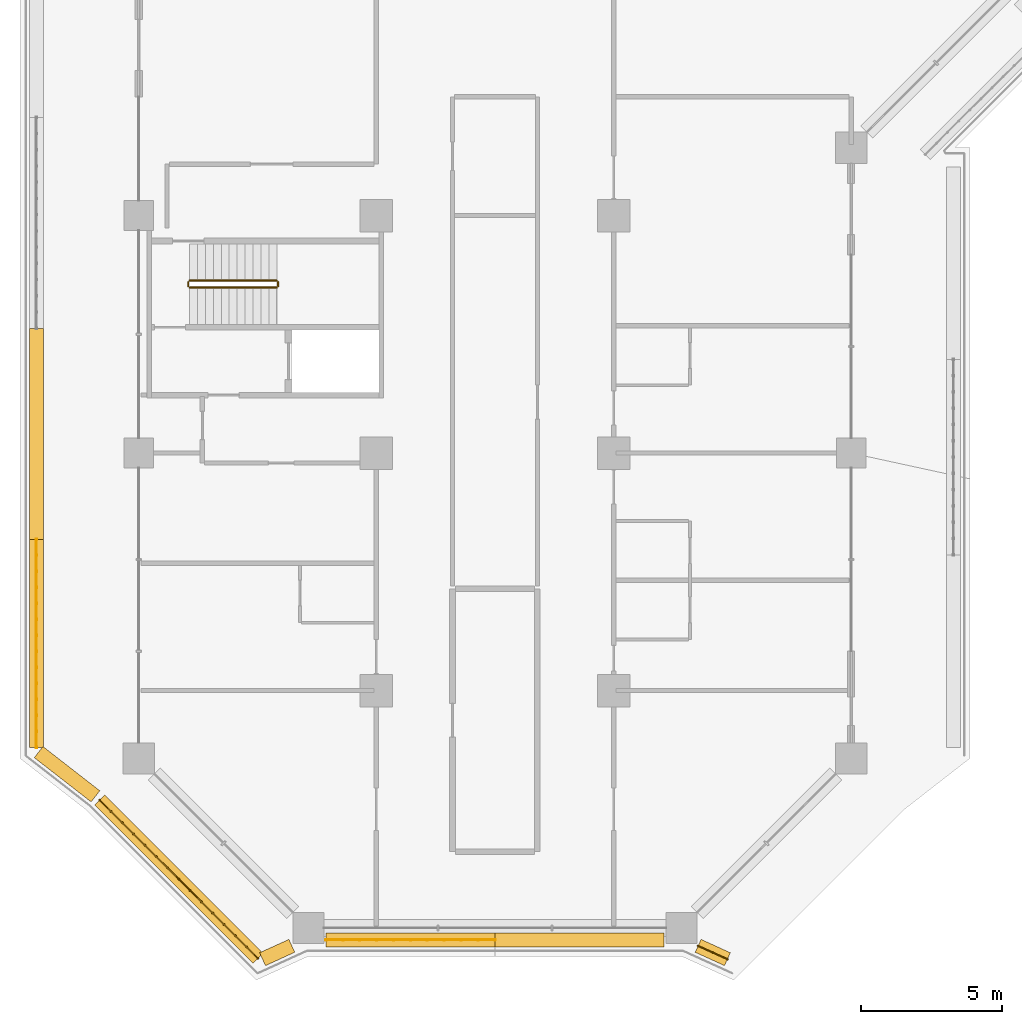
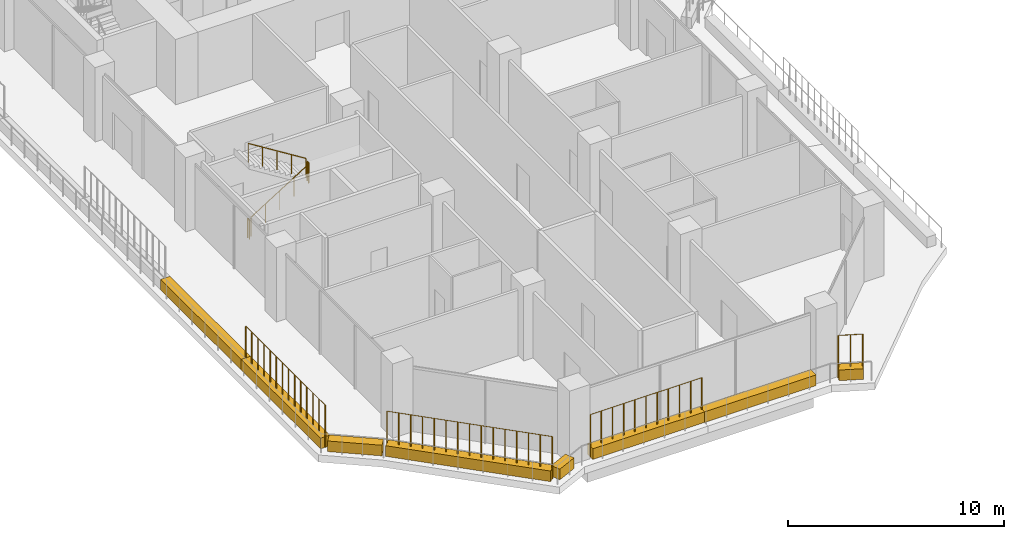
# One storey, part 18 of 23: 8 coverings, 8 railings.
"""IFC4 building model written with IfcOpenShell, lengths in metres."""

from ifc_helpers import new_model, si_unit, direction, frame, origin, origin_2d, place, context, subcontext, project, spatial, rectangle, circle, extrude, material, material_profile, profile_set, type_object, element, save


model = new_model("IFC4")

# Units and contexts
model_context = context("Model", 3, precision=1e-05, world=origin(), true_north=direction((0.0, 1.0)))
body_context = subcontext(model_context, "Body", "Model", "MODEL_VIEW")
ifc_project = project(units=[si_unit("LENGTHUNIT", "METRE"), si_unit("AREAUNIT", "SQUARE_METRE"), si_unit("VOLUMEUNIT", "CUBIC_METRE"), si_unit("PLANEANGLEUNIT", "RADIAN"), si_unit("MASSUNIT", "GRAM", prefix="KILO")], contexts=[model_context])

# Site, building, storey
site_placement = place(None, origin())
site = spatial("IfcSite", under=ifc_project, at=site_placement, CompositionType="ELEMENT")
building_placement = place(site_placement, origin())
building = spatial("IfcBuilding", under=site, at=building_placement, Name="Kawkab Arch Medical Tower", CompositionType="ELEMENT")
storey_placement = place(building_placement, frame((0.0, 0.0, 149.199951171875)))
storey = spatial("IfcBuildingStorey", under=building, at=storey_placement, Name="L34", CompositionType="ELEMENT", Elevation=149.199951171875)

# Coverings
ifc_material_1 = material(Name="Planting soil in a precast trough", Category="concrete")
ifc_material_profile = material_profile(ifc_material_1, rectangle(XDim=0.5, YDim=0.60009765625, at=origin_2d()), Name="Trough 500x600")
ifc_profile_set = profile_set([ifc_material_profile], Name="Planting soil in a precast trough")
covering_type = type_object("IfcCoveringType", Name="Planter trough 500 x 600", PredefinedType="USERDEFINED", material=ifc_profile_set)
covering_1_placement = place(storey_placement, frame((20.821044921875, -59.902099609375, 0.300048828125), z_axis=(-0.909821891123, 0.414998947508, 0.0), x_axis=(-0.414998947508, -0.909821891123, 0.0)))
element("IfcCovering", 1, at=covering_1_placement, inside=storey, type_object=covering_type, Name="Planter L34.LOG-01-01.1", ObjectType="PLANTER", PredefinedType="USERDEFINED", context=body_context, shape_type="SweptSolid", body=[
    extrude(rectangle(XDim=0.5, YDim=0.60009765625, at=origin_2d()), origin(), (0.0, 0.0, 1.0), 1.1376953125),
])
covering_2_placement = place(storey_placement, frame((18.570068359375, -59.219970703125, 0.300048828125), z_axis=(-1.0, 0.0, 0.0), x_axis=(0.0, -1.0, 0.0)))
element("IfcCovering", 2, at=covering_2_placement, inside=storey, type_object=covering_type, Name="Planter L34.LOG-01-01.2", ObjectType="PLANTER", PredefinedType="USERDEFINED", context=body_context, shape_type="SweptSolid", body=[
    extrude(rectangle(XDim=0.5, YDim=0.60009765625, at=origin_2d()), origin(), (0.0, 0.0, 1.0), 5.969970703125),
])
covering_3_placement = place(storey_placement, frame((12.60009765625, -59.219970703125, 0.300048828125), z_axis=(-1.0, 0.0, 0.0), x_axis=(0.0, -1.0, 0.0)))
element("IfcCovering", 3, at=covering_3_placement, inside=storey, type_object=covering_type, Name="Planter L34.LOG-01-01.3", ObjectType="PLANTER", PredefinedType="USERDEFINED", context=body_context, shape_type="SweptSolid", body=[
    extrude(rectangle(XDim=0.5, YDim=0.60009765625, at=origin_2d()), origin(), (0.0, 0.0, 1.0), 5.97021484375),
])
covering_4_placement = place(storey_placement, frame((5.4140625, -59.429931640625, 0.300048828125), z_axis=(-0.909821891123, -0.414998947508, 0.0), x_axis=(0.414998947508, -0.909821891123, 0.0)))
element("IfcCovering", 4, at=covering_4_placement, inside=storey, type_object=covering_type, Name="Planter L34.LOG-01-01.4", ObjectType="PLANTER", PredefinedType="USERDEFINED", context=body_context, shape_type="SweptSolid", body=[
    extrude(rectangle(XDim=0.5, YDim=0.60009765625, at=origin_2d()), origin(), (0.0, 0.0, 1.0), 1.1376953125),
])
covering_5_placement = place(storey_placement, frame((4.217041015625, -59.873046875, 0.300048828125), z_axis=(-0.707106781187, 0.707106781187, 0.0), x_axis=(-0.707106781187, -0.707106781187, 0.0)))
element("IfcCovering", 5, at=covering_5_placement, inside=storey, type_object=covering_type, Name="Planter L34.LOG-01-01.5", ObjectType="PLANTER", PredefinedType="USERDEFINED", context=body_context, shape_type="SweptSolid", body=[
    extrude(rectangle(XDim=0.5, YDim=0.60009765625, at=origin_2d()), origin(), (0.0, 0.0, 1.0), 7.919677734375),
])
covering_6_placement = place(storey_placement, frame((-1.531982421875, -54.14111328125, 0.300048828125), z_axis=(-0.789228258436, 0.614099956103, 0.0), x_axis=(-0.614099956103, -0.789228258436, 0.0)))
element("IfcCovering", 6, at=covering_6_placement, inside=storey, type_object=covering_type, Name="Planter L34.LOG-01-01.6", ObjectType="PLANTER", PredefinedType="USERDEFINED", context=body_context, shape_type="SweptSolid", body=[
    extrude(rectangle(XDim=0.5, YDim=0.60009765625, at=origin_2d()), origin(), (0.0, 0.0, 1.0), 2.545654296875),
])
covering_7_placement = place(storey_placement, frame((-3.6201171875, -52.416015625, 0.300048828125), z_axis=(0.0, 1.0, 0.0), x_axis=(-1.0, 0.0, 0.0)))
element("IfcCovering", 7, at=covering_7_placement, inside=storey, type_object=covering_type, Name="Planter L34.LOG-01-01.7", ObjectType="PLANTER", PredefinedType="USERDEFINED", context=body_context, shape_type="SweptSolid", body=[
    extrude(rectangle(XDim=0.5, YDim=0.60009765625, at=origin_2d()), origin(), (0.0, 0.0, 1.0), 7.361083984375),
])
covering_8_placement = place(storey_placement, frame((-3.6201171875, -45.054931640625, 0.300048828125), z_axis=(0.0, 1.0, 0.0), x_axis=(-1.0, 0.0, 0.0)))
element("IfcCovering", 8, at=covering_8_placement, inside=storey, type_object=covering_type, Name="Planter L34.LOG-01-01.8", ObjectType="PLANTER", PredefinedType="USERDEFINED", context=body_context, shape_type="SweptSolid", body=[
    extrude(rectangle(XDim=0.5, YDim=0.60009765625, at=origin_2d()), origin(), (0.0, 0.0, 1.0), 7.4619140625),
])

# Railings
ifc_material_2 = material(Name="Bronze anodised aluminium trellis for climbing plants", Category="aluminium")
railing_type_1 = type_object("IfcRailingType", Name="Planting trellis 2400", PredefinedType="USERDEFINED", material=ifc_material_2)
railing_1_placement = place(storey_placement, frame((20.821044921875, -59.902099609375, 0.0)))
element("IfcRailing", 9, at=railing_1_placement, inside=storey, type_object=railing_type_1, Name="Planting trellis L34.LOG-01-01.1", ObjectType="TRELLIS", PredefinedType="USERDEFINED", context=body_context, shape_type="SweptSolid", body=[
    extrude(circle(Radius=0.01513671875, at=origin_2d()), frame((0.0, 0.0, 2.384765625), z_axis=(-0.909821891123, 0.414998947508, 0.0), x_axis=(-0.414998947508, -0.909821891123, 0.0)), (0.0, 0.0, 1.0), 1.1376953125),
    extrude(circle(Radius=0.030029296875, at=origin_2d()), origin(), (0.0, 0.0, 1.0), 2.369873046875),
    extrude(circle(Radius=0.030029296875, at=origin_2d()), frame((-0.517578125, 0.236083984375, 0.0)), (0.0, 0.0, 1.0), 2.369873046875),
    extrude(circle(Radius=0.030029296875, at=origin_2d()), frame((-1.03515625, 0.47216796875, 0.0)), (0.0, 0.0, 1.0), 2.369873046875),
])
railing_2_placement = place(storey_placement, frame((12.60009765625, -59.219970703125, 0.0)))
element("IfcRailing", 10, at=railing_2_placement, inside=storey, type_object=railing_type_1, Name="Planting trellis L34.LOG-01-01.3", ObjectType="TRELLIS", PredefinedType="USERDEFINED", context=body_context, shape_type="SweptSolid", body=[
    extrude(circle(Radius=0.01513671875, at=origin_2d()), frame((0.0, 0.0, 2.384765625), z_axis=(-1.0, 0.0, 0.0), x_axis=(0.0, -1.0, 0.0)), (0.0, 0.0, 1.0), 5.97021484375),
    extrude(circle(Radius=0.030029296875, at=origin_2d()), origin(), (0.0, 0.0, 1.0), 2.369873046875),
    extrude(circle(Radius=0.030029296875, at=origin_2d()), frame((-0.596923828125, 0.0, 0.0)), (0.0, 0.0, 1.0), 2.369873046875),
    extrude(circle(Radius=0.030029296875, at=origin_2d()), frame((-1.194091796875, 0.0, 0.0)), (0.0, 0.0, 1.0), 2.369873046875),
    extrude(circle(Radius=0.030029296875, at=origin_2d()), frame((-1.791015625, 0.0, 0.0)), (0.0, 0.0, 1.0), 2.369873046875),
    extrude(circle(Radius=0.030029296875, at=origin_2d()), frame((-2.38818359375, 0.0, 0.0)), (0.0, 0.0, 1.0), 2.369873046875),
    extrude(circle(Radius=0.030029296875, at=origin_2d()), frame((-2.985107421875, 0.0, 0.0)), (0.0, 0.0, 1.0), 2.369873046875),
    extrude(circle(Radius=0.030029296875, at=origin_2d()), frame((-3.58203125, 0.0, 0.0)), (0.0, 0.0, 1.0), 2.369873046875),
    extrude(circle(Radius=0.030029296875, at=origin_2d()), frame((-4.17919921875, 0.0, 0.0)), (0.0, 0.0, 1.0), 2.369873046875),
    extrude(circle(Radius=0.030029296875, at=origin_2d()), frame((-4.776123046875, 0.0, 0.0)), (0.0, 0.0, 1.0), 2.369873046875),
    extrude(circle(Radius=0.030029296875, at=origin_2d()), frame((-5.373291015625, 0.0, 0.0)), (0.0, 0.0, 1.0), 2.369873046875),
    extrude(circle(Radius=0.030029296875, at=origin_2d()), frame((-5.97021484375, 0.0, 0.0)), (0.0, 0.0, 1.0), 2.369873046875),
])
railing_3_placement = place(storey_placement, frame((4.217041015625, -59.873046875, 0.0)))
element("IfcRailing", 11, at=railing_3_placement, inside=storey, type_object=railing_type_1, Name="Planting trellis L34.LOG-01-01.5", ObjectType="TRELLIS", PredefinedType="USERDEFINED", context=body_context, shape_type="SweptSolid", body=[
    extrude(circle(Radius=0.01513671875, at=origin_2d()), frame((0.0, 0.0, 2.384765625), z_axis=(-0.707106781187, 0.707106781187, 0.0), x_axis=(-0.707106781187, -0.707106781187, 0.0)), (0.0, 0.0, 1.0), 7.919677734375),
    extrude(circle(Radius=0.030029296875, at=origin_2d()), origin(), (0.0, 0.0, 1.0), 2.369873046875),
    extrude(circle(Radius=0.030029296875, at=origin_2d()), frame((-0.39990234375, 0.39990234375, 0.0)), (0.0, 0.0, 1.0), 2.369873046875),
    extrude(circle(Radius=0.030029296875, at=origin_2d()), frame((-0.800048828125, 0.800048828125, 0.0)), (0.0, 0.0, 1.0), 2.369873046875),
    extrude(circle(Radius=0.030029296875, at=origin_2d()), frame((-1.199951171875, 1.199951171875, 0.0)), (0.0, 0.0, 1.0), 2.369873046875),
    extrude(circle(Radius=0.030029296875, at=origin_2d()), frame((-1.60009765625, 1.60009765625, 0.0)), (0.0, 0.0, 1.0), 2.369873046875),
    extrude(circle(Radius=0.030029296875, at=origin_2d()), frame((-2.0, 2.0, 0.0)), (0.0, 0.0, 1.0), 2.369873046875),
    extrude(circle(Radius=0.030029296875, at=origin_2d()), frame((-2.400146484375, 2.400146484375, 0.0)), (0.0, 0.0, 1.0), 2.369873046875),
    extrude(circle(Radius=0.030029296875, at=origin_2d()), frame((-2.800048828125, 2.800048828125, 0.0)), (0.0, 0.0, 1.0), 2.369873046875),
    extrude(circle(Radius=0.030029296875, at=origin_2d()), frame((-3.199951171875, 3.199951171875, 0.0)), (0.0, 0.0, 1.0), 2.369873046875),
    extrude(circle(Radius=0.030029296875, at=origin_2d()), frame((-3.60009765625, 3.60009765625, 0.0)), (0.0, 0.0, 1.0), 2.369873046875),
    extrude(circle(Radius=0.030029296875, at=origin_2d()), frame((-4.0, 4.0, 0.0)), (0.0, 0.0, 1.0), 2.369873046875),
    extrude(circle(Radius=0.030029296875, at=origin_2d()), frame((-4.400146484375, 4.400146484375, 0.0)), (0.0, 0.0, 1.0), 2.369873046875),
    extrude(circle(Radius=0.030029296875, at=origin_2d()), frame((-4.800048828125, 4.800048828125, 0.0)), (0.0, 0.0, 1.0), 2.369873046875),
    extrude(circle(Radius=0.030029296875, at=origin_2d()), frame((-5.2001953125, 5.2001953125, 0.0)), (0.0, 0.0, 1.0), 2.369873046875),
    extrude(circle(Radius=0.030029296875, at=origin_2d()), frame((-5.60009765625, 5.60009765625, 0.0)), (0.0, 0.0, 1.0), 2.369873046875),
])
railing_4_placement = place(storey_placement, frame((-3.6201171875, -52.416015625, 0.0)))
element("IfcRailing", 12, at=railing_4_placement, inside=storey, type_object=railing_type_1, Name="Planting trellis L34.LOG-01-01.7", ObjectType="TRELLIS", PredefinedType="USERDEFINED", context=body_context, shape_type="SweptSolid", body=[
    extrude(circle(Radius=0.01513671875, at=origin_2d()), frame((0.0, 0.0, 2.384765625), z_axis=(0.0, 1.0, 0.0), x_axis=(-1.0, 0.0, 0.0)), (0.0, 0.0, 1.0), 7.361083984375),
    extrude(circle(Radius=0.030029296875, at=origin_2d()), origin(), (0.0, 0.0, 1.0), 2.369873046875),
    extrude(circle(Radius=0.030029296875, at=origin_2d()), frame((0.0, 0.566162109375, 0.0)), (0.0, 0.0, 1.0), 2.369873046875),
    extrude(circle(Radius=0.030029296875, at=origin_2d()), frame((0.0, 1.132568359375, 0.0)), (0.0, 0.0, 1.0), 2.369873046875),
    extrude(circle(Radius=0.030029296875, at=origin_2d()), frame((0.0, 1.69873046875, 0.0)), (0.0, 0.0, 1.0), 2.369873046875),
    extrude(circle(Radius=0.030029296875, at=origin_2d()), frame((0.0, 2.264892578125, 0.0)), (0.0, 0.0, 1.0), 2.369873046875),
    extrude(circle(Radius=0.030029296875, at=origin_2d()), frame((0.0, 2.831298828125, 0.0)), (0.0, 0.0, 1.0), 2.369873046875),
    extrude(circle(Radius=0.030029296875, at=origin_2d()), frame((0.0, 3.3974609375, 0.0)), (0.0, 0.0, 1.0), 2.369873046875),
    extrude(circle(Radius=0.030029296875, at=origin_2d()), frame((0.0, 3.963623046875, 0.0)), (0.0, 0.0, 1.0), 2.369873046875),
    extrude(circle(Radius=0.030029296875, at=origin_2d()), frame((0.0, 4.52978515625, 0.0)), (0.0, 0.0, 1.0), 2.369873046875),
    extrude(circle(Radius=0.030029296875, at=origin_2d()), frame((0.0, 5.09619140625, 0.0)), (0.0, 0.0, 1.0), 2.369873046875),
    extrude(circle(Radius=0.030029296875, at=origin_2d()), frame((0.0, 5.662353515625, 0.0)), (0.0, 0.0, 1.0), 2.369873046875),
    extrude(circle(Radius=0.030029296875, at=origin_2d()), frame((0.0, 6.228515625, 0.0)), (0.0, 0.0, 1.0), 2.369873046875),
    extrude(circle(Radius=0.030029296875, at=origin_2d()), frame((0.0, 6.794921875, 0.0)), (0.0, 0.0, 1.0), 2.369873046875),
    extrude(circle(Radius=0.030029296875, at=origin_2d()), frame((0.0, 7.361083984375, 0.0)), (0.0, 0.0, 1.0), 2.369873046875),
])
ifc_material_3 = material(Name="Stainless steel", Category="steel")
railing_type_2 = type_object("IfcRailingType", Name="Stair guard 1100", PredefinedType="GUARDRAIL", material=ifc_material_3)
railing_5_placement = place(storey_placement, frame((1.800048828125, -36.14990234375, 0.175048828125)))
element("IfcRailing", 13, at=railing_5_placement, inside=storey, type_object=railing_type_2, Name="L34 ST6 stair guard 1", PredefinedType="GUARDRAIL", context=body_context, shape_type="SweptSolid", body=[
    extrude(circle(Radius=0.02392578125, at=origin_2d()), frame((0.0, 0.0, 1.076171875), z_axis=(0.847979421464, 0.0, 0.530029150871), x_axis=(0.0, 1.0, 0.0)), (0.0, 0.0, 1.0), 3.632080078125),
    extrude(circle(Radius=0.02099609375, at=origin_2d()), origin(), (0.0, 0.0, 1.0), 1.052001953125),
    extrude(circle(Radius=0.02099609375, at=origin_2d()), frame((0.77001953125, 0.0, 0.481201171875)), (0.0, 0.0, 1.0), 1.052001953125),
    extrude(circle(Radius=0.02099609375, at=origin_2d()), frame((1.5400390625, 0.0, 0.96240234375)), (0.0, 0.0, 1.0), 1.052001953125),
    extrude(circle(Radius=0.02099609375, at=origin_2d()), frame((2.309814453125, 0.0, 1.44384765625)), (0.0, 0.0, 1.0), 1.052001953125),
    extrude(circle(Radius=0.02099609375, at=origin_2d()), frame((3.079833984375, 0.0, 1.925048828125)), (0.0, 0.0, 1.0), 1.052001953125),
])
railing_6_placement = place(storey_placement, frame((4.929931640625, -36.10009765625, 2.10009765625)))
element("IfcRailing", 14, at=railing_6_placement, inside=storey, type_object=railing_type_2, Name="L34 ST6 stair guard 2", PredefinedType="GUARDRAIL", context=body_context, shape_type="SweptSolid", body=[
    extrude(circle(Radius=0.02392578125, at=origin_2d()), frame((0.0, 0.0, 1.076171875), z_axis=(0.0, 1.0, 0.0), x_axis=(-1.0, 0.0, 0.0)), (0.0, 0.0, 1.0), 0.150146484375),
    extrude(circle(Radius=0.02099609375, at=origin_2d()), origin(), (0.0, 0.0, 1.0), 1.052001953125),
    extrude(circle(Radius=0.02099609375, at=origin_2d()), frame((0.0, 0.150146484375, 0.0)), (0.0, 0.0, 1.0), 1.052001953125),
])
railing_7_placement = place(storey_placement, frame((4.8798828125, -35.89990234375, 2.275146484375)))
element("IfcRailing", 15, at=railing_7_placement, inside=storey, type_object=railing_type_2, Name="L34 ST6 stair guard 3", PredefinedType="GUARDRAIL", context=body_context, shape_type="SweptSolid", body=[
    extrude(circle(Radius=0.02392578125, at=origin_2d()), frame((0.0, 0.0, 1.076171875), z_axis=(-0.848009633417, 0.0, 0.529980812513), x_axis=(0.0, -1.0, 0.0)), (0.0, 0.0, 1.0), 3.6318359375),
    extrude(circle(Radius=0.02099609375, at=origin_2d()), origin(), (0.0, 0.0, 1.0), 1.052001953125),
    extrude(circle(Radius=0.02099609375, at=origin_2d()), frame((-0.77001953125, 0.0, 0.481201171875)), (0.0, 0.0, 1.0), 1.052001953125),
    extrude(circle(Radius=0.02099609375, at=origin_2d()), frame((-1.5400390625, 0.0, 0.96240234375)), (0.0, 0.0, 1.0), 1.052001953125),
    extrude(circle(Radius=0.02099609375, at=origin_2d()), frame((-2.309814453125, 0.0, 1.443603515625)), (0.0, 0.0, 1.0), 1.052001953125),
    extrude(circle(Radius=0.02099609375, at=origin_2d()), frame((-3.079833984375, 0.0, 1.9248046875)), (0.0, 0.0, 1.0), 1.052001953125),
])
railing_8_placement = place(storey_placement, frame((1.75, -36.10009765625, 0.0)))
element("IfcRailing", 16, at=railing_8_placement, inside=storey, type_object=railing_type_2, Name="L34 ST6 stair guard 4", PredefinedType="GUARDRAIL", context=body_context, shape_type="SweptSolid", body=[
    extrude(circle(Radius=0.02392578125, at=origin_2d()), frame((0.0, 0.0, 1.076171875), z_axis=(0.0, 1.0, 0.0), x_axis=(-1.0, 0.0, 0.0)), (0.0, 0.0, 1.0), 0.150146484375),
    extrude(circle(Radius=0.02099609375, at=origin_2d()), origin(), (0.0, 0.0, 1.0), 1.052001953125),
    extrude(circle(Radius=0.02099609375, at=origin_2d()), frame((0.0, 0.150146484375, 0.0)), (0.0, 0.0, 1.0), 1.052001953125),
])

save(model, "model.ifc")
